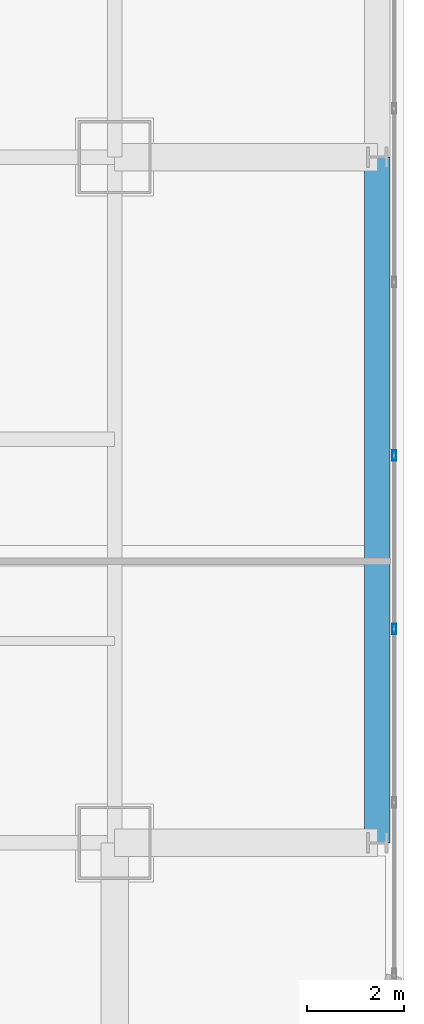
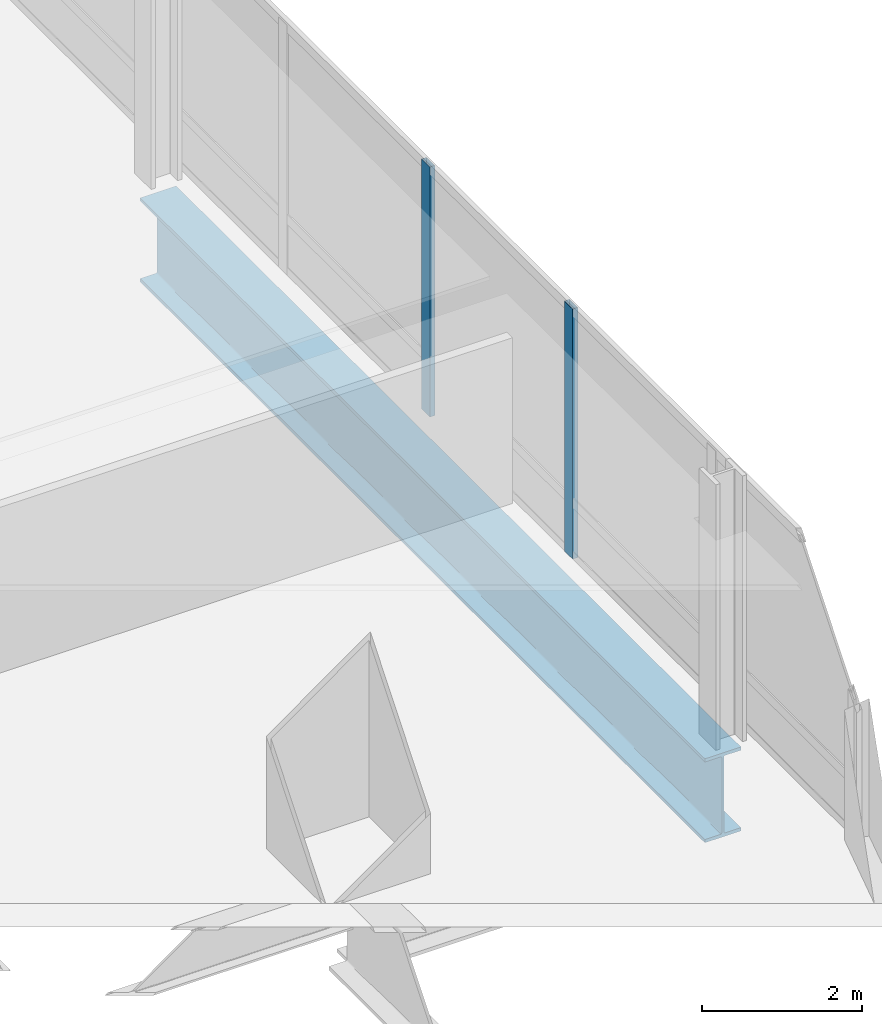
# One storey, part 13 of 40: 2 members, 1 beam, 1 element without a shape of its own.
"""IFC4 building model written with IfcOpenShell, lengths in metres."""

from ifc_helpers import new_model, si_unit, direction, frame, origin, origin_2d, place, context, subcontext, project, spatial, hollow_rectangle, i_section, extrude, material, material_profile, profile_set, type_object, element, aggregate, save


model = new_model("IFC4")

# Units and contexts
model_context = context("Model", 3, precision=1e-05, world=origin(), true_north=direction((0.0, 1.0)))
body_context = subcontext(model_context, "Body", "Model", "MODEL_VIEW")
ifc_project = project(units=[si_unit("LENGTHUNIT", "METRE"), si_unit("AREAUNIT", "SQUARE_METRE"), si_unit("VOLUMEUNIT", "CUBIC_METRE"), si_unit("PLANEANGLEUNIT", "RADIAN"), si_unit("MASSUNIT", "GRAM", prefix="KILO")], contexts=[model_context])

# Site, building, storey
site_placement = place(None, origin())
site = spatial("IfcSite", under=ifc_project, at=site_placement, CompositionType="ELEMENT")
building_placement = place(site_placement, origin())
building = spatial("IfcBuilding", under=site, at=building_placement, Name="Punatoya Terracotta Tower", CompositionType="ELEMENT")
storey_placement = place(building_placement, frame((0.0, 0.0, 76.800048828125)))
storey = spatial("IfcBuildingStorey", under=building, at=storey_placement, Name="L17", CompositionType="ELEMENT", Elevation=76.800048828125)

# Beam
ifc_material_1 = material(Name="Steel S460", Category="steel")
ifc_material_profile_1 = material_profile(ifc_material_1, i_section(OverallWidth=0.52001953125, OverallDepth=1.280029296875, WebThickness=0.031982421875, FlangeThickness=0.050048828125, FilletRadius=0.01806640625, at=origin_2d()))
ifc_profile_set_1 = profile_set([ifc_material_profile_1], Name="Steel S460")
beam_type = type_object("IfcBeamType", Name="BM-TG-NCK", PredefinedType="BEAM", material=ifc_profile_set_1)
beam_placement = place(storey_placement, frame((24.5, -17.5, -0.880126953125), z_axis=(0.0, 1.0, 0.0), x_axis=(-1.0, 0.0, 0.0)))
element("IfcBeam", 1, at=beam_placement, inside=storey, type_object=beam_type, Name="BM-L17-PER-E1", PredefinedType="BEAM", context=body_context, shape_type="SweptSolid", body=[
    extrude(i_section(OverallWidth=0.52001953125, OverallDepth=1.280029296875, WebThickness=0.031982421875, FlangeThickness=0.050048828125, FilletRadius=0.01806640625, at=origin_2d()), origin(), (0.0, 0.0, 1.0), 14.10009765625),
])

# Curtain wall, members
ifc_material_2 = material(Name="Aluminium 6063-T6 + Double Low-E Glass", Category="aluminium")
curtain_wall_type = type_object("IfcCurtainWallType", Name="CW-M1", PredefinedType="NOTDEFINED", material=ifc_material_2)
curtain_wall_placement = place(storey_placement, origin())
curtain_wall = element("IfcCurtainWall", 2, at=curtain_wall_placement, inside=storey, type_object=curtain_wall_type, Name="L17 Curtain Wall CW-L17-E05-1", PredefinedType="NOTDEFINED")
ifc_material_3 = material(Name="Aluminium 6063-T6", Category="aluminium")
ifc_material_profile_2 = material_profile(ifc_material_3, hollow_rectangle(XDim=0.074951171875, YDim=0.2099609375, WallThickness=0.00439453125, at=origin_2d()))
ifc_profile_set_2 = profile_set([ifc_material_profile_2], Name="Aluminium 6063-T6")
member_type = type_object("IfcMemberType", Name="CW-MUL-M1", PredefinedType="MULLION", material=ifc_profile_set_2)
member_1_placement = place(storey_placement, frame((24.85009765625, -13.10205078125, 0.0), z_axis=(0.0, 0.0, 1.0), x_axis=(1.0, 0.0, 0.0)))
member_1 = element("IfcMember", 3, at=member_1_placement, type_object=member_type, Name="CW-L17-E05-1 Mullion 02", PredefinedType="MULLION", context=body_context, shape_type="SweptSolid", body=[
    extrude(hollow_rectangle(XDim=0.074951171875, YDim=0.2099609375, WallThickness=0.00439453125, at=origin_2d()), origin(), (0.0, 0.0, 1.0), 3.81005859375),
])
member_2_placement = place(storey_placement, frame((24.85009765625, -9.534912109375, 0.0), z_axis=(0.0, 0.0, 1.0), x_axis=(1.0, 0.0, 0.0)))
member_2 = element("IfcMember", 4, at=member_2_placement, type_object=member_type, Name="CW-L17-E05-1 Mullion 03", PredefinedType="MULLION", context=body_context, shape_type="SweptSolid", body=[
    extrude(hollow_rectangle(XDim=0.074951171875, YDim=0.2099609375, WallThickness=0.00439453125, at=origin_2d()), origin(), (0.0, 0.0, 1.0), 3.81005859375),
])
aggregate(curtain_wall, [member_1, member_2])

save(model, "model.ifc")
